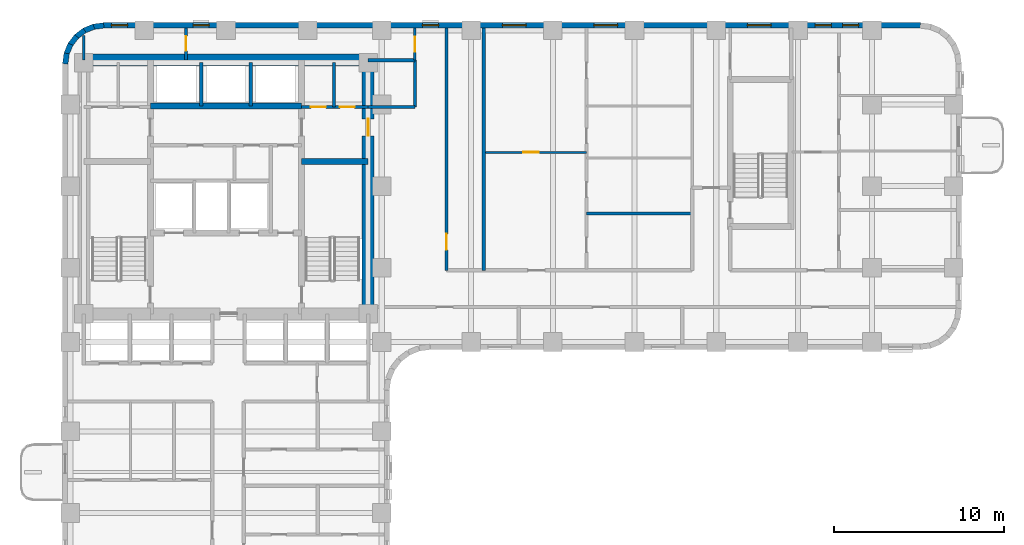
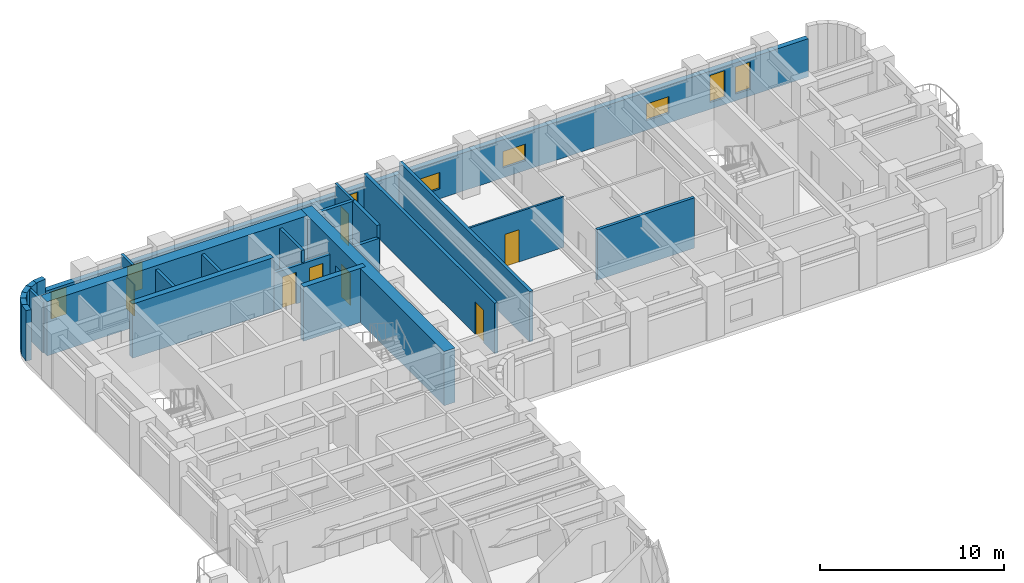
# One storey, part 6 of 12: 25 walls, 8 windows, 7 doors, 15 openings.
"""IFC4 building model written with IfcOpenShell, lengths in metres."""

from ifc_helpers import new_model, si_unit, direction, frame, frame_2d, origin, place, context, subcontext, project, spatial, rectangle, extrude, material, layer, layer_set, type_object, element, fill, save


model = new_model("IFC4")

# Units and contexts
model_context = context("Model", 3, precision=1e-05, world=origin(), true_north=direction((0.0, 1.0)))
body_context = subcontext(model_context, "Body", "Model", "MODEL_VIEW")
ifc_project = project(units=[si_unit("LENGTHUNIT", "METRE"), si_unit("AREAUNIT", "SQUARE_METRE"), si_unit("VOLUMEUNIT", "CUBIC_METRE"), si_unit("PLANEANGLEUNIT", "RADIAN"), si_unit("MASSUNIT", "GRAM", prefix="KILO")], contexts=[model_context])

# Site, building, storey
site_placement = place(None, origin())
site = spatial("IfcSite", under=ifc_project, at=site_placement, CompositionType="ELEMENT")
building_placement = place(site_placement, origin())
building = spatial("IfcBuilding", under=site, at=building_placement, Name="Orvandelia Arch Residences", CompositionType="ELEMENT")
storey_placement = place(building_placement, frame((0.0, 0.0, 57.39990234375)))
storey = spatial("IfcBuildingStorey", under=building, at=storey_placement, Name="L14", CompositionType="ELEMENT", Elevation=57.39990234375)

# Walls
ifc_material_1 = material(Name="Concrete C50/60", Category="concrete")
ifc_layer_1 = layer(ifc_material_1, 0.35009765625, Name="Concrete C50/60", Category="concrete")
ifc_layer_set_1 = layer_set([ifc_layer_1], Name="Concrete C50/60")
wall_type_1 = type_object("IfcWallType", Name="WL-CORE-350", PredefinedType="SHEAR", material=ifc_layer_set_1)
wall_1_placement = place(storey_placement, frame((18.840087890625, 39.85009765625, 0.0), z_axis=(0.0, 0.0, 1.0), x_axis=(1.0, 0.0, 0.0)))
element("IfcWall", 1, at=wall_1_placement, inside=storey, type_object=wall_type_1, Name="Core Shear Wall L14-HZ2", PredefinedType="SHEAR", context=body_context, shape_type="SweptSolid", body=[
    extrude(rectangle(XDim=3.909912109375, YDim=0.35009765625, at=frame_2d((1.955078125, 0.0))), origin(), (0.0, 0.0, 1.0), 3.60009765625),
])
wall_2_placement = place(storey_placement, frame((9.9599609375, 43.10009765625, 0.0), z_axis=(0.0, 0.0, 1.0), x_axis=(1.0, 0.0, 0.0)))
element("IfcWall", 2, at=wall_2_placement, inside=storey, type_object=wall_type_1, Name="Core Shear Wall L14-HZ4", PredefinedType="SHEAR", context=body_context, shape_type="SweptSolid", body=[
    extrude(rectangle(XDim=8.880126953125, YDim=0.35009765625, at=frame_2d((4.43994140625, 0.0))), origin(), (0.0, 0.0, 1.0), 3.60009765625),
])

# Wall, opening, door
ifc_material_2 = material(Name="Concrete C80/95", Category="concrete")
ifc_layer_2 = layer(ifc_material_2, 0.699951171875, Name="Concrete C80/95", Category="concrete")
ifc_layer_set_2 = layer_set([ifc_layer_2], Name="Concrete C80/95")
wall_type_2 = type_object("IfcWallType", Name="WL-CORE-700", PredefinedType="SHEAR", material=ifc_layer_set_2)
wall_3_placement = place(storey_placement, frame((22.75, 30.550048828125, 0.0), z_axis=(0.0, 0.0, 1.0), x_axis=(0.0, 1.0, 0.0)))
wall_3 = element("IfcWall", 3, at=wall_3_placement, inside=storey, type_object=wall_type_2, Name="Core Shear Wall L14-E", PredefinedType="SHEAR", context=body_context, shape_type="SweptSolid", body=[
    extrude(rectangle(XDim=15.599853515625, YDim=0.699951171875, at=frame_2d((7.7998046875, 0.0))), origin(), (0.0, 0.0, 1.0), 3.60009765625),
])
opening_1_placement = place(wall_3_placement, frame((10.800048828125, 0.0, 0.0)))
opening_1 = element("IfcOpeningElement", 4, at=opening_1_placement, cuts=wall_3, Name="Opening D6", PredefinedType="OPENING", context=body_context, shape_type="SweptSolid", body=[
    extrude(rectangle(XDim=1.0, YDim=2.14990234375, at=frame_2d((0.5, 1.074951171875))), frame((0.0, 0.35986328125, 0.0), z_axis=(0.0, -1.0, 0.0), x_axis=(1.0, 0.0, 0.0)), (0.0, 0.0, 1.0), 0.719970703125),
])
ifc_material_3 = material(Name="Smokeproof Painted Steel Fire Door", Category="steel")
door_type_1 = type_object("IfcDoorType", Name="DR-FD60-1000", OperationType="NOTDEFINED", PredefinedType="DOOR", material=ifc_material_3)
door_1_placement = place(opening_1_placement, origin())
door_1 = element("IfcDoor", 5, at=door_1_placement, inside=storey, type_object=door_type_1, Name="Core East Corridor Link Door L14", OperationType="SINGLE_SWING_LEFT", OverallHeight=2.14990234375, OverallWidth=1.0, PredefinedType="DOOR", context=body_context, shape_type="SweptSolid", body=[
    extrude(rectangle(XDim=1.0, YDim=2.14990234375, at=frame_2d((0.5, 1.074951171875))), frame((0.0, 0.02490234375, 0.0), z_axis=(0.0, -1.0, 0.0), x_axis=(1.0, 0.0, 0.0)), (0.0, 0.0, 1.0), 0.050048828125),
])
fill(opening_1, door_1)

# Walls
wall_4_placement = place(storey_placement, frame((6.050048828125, 45.800048828125, 0.0), z_axis=(0.0, 0.0, 1.0), x_axis=(1.0, 0.0, 0.0)))
element("IfcWall", 6, at=wall_4_placement, inside=storey, type_object=wall_type_2, Name="Core Shear Wall L14-N", PredefinedType="SHEAR", context=body_context, shape_type="SweptSolid", body=[
    extrude(rectangle(XDim=16.699951171875, YDim=0.699951171875, at=frame_2d((8.35009765625, 0.0))), origin(), (0.0, 0.0, 1.0), 3.60009765625),
])
ifc_material_4 = material(Name="Fire-Rated Corridor Partition")
ifc_layer_3 = layer(ifc_material_4, 0.199951171875, Name="Fire-Rated Corridor Partition")
ifc_layer_set_3 = layer_set([ifc_layer_3], Name="Fire-Rated Corridor Partition")
wall_type_3 = type_object("IfcWallType", Name="WL-CORR-200", PredefinedType="PARTITIONING", material=ifc_layer_set_3)
wall_5_placement = place(storey_placement, frame((22.75, 45.800048828125, 0.0), z_axis=(0.0, 0.0, 1.0), x_axis=(1.0, 0.0, 0.0)))
element("IfcWall", 7, at=wall_5_placement, inside=storey, type_object=wall_type_3, Name="Interior Partition Wall WL-L14-NCE-S", PredefinedType="PARTITIONING", context=body_context, shape_type="SweptSolid", body=[
    extrude(rectangle(XDim=2.75, YDim=0.199951171875, at=frame_2d((1.375, 0.0))), origin(), (0.0, 0.0, 1.0), 3.35009765625),
])

# Wall, opening, door
wall_6_placement = place(storey_placement, frame((27.35009765625, 33.449951171875, 0.0), z_axis=(0.0, 0.0, 1.0), x_axis=(0.0, 1.0, 0.0)))
wall_6 = element("IfcWall", 8, at=wall_6_placement, inside=storey, type_object=wall_type_3, Name="Interior Partition Wall WL-L14-ES-NCE", PredefinedType="PARTITIONING", context=body_context, shape_type="SweptSolid", body=[
    extrude(rectangle(XDim=14.22998046875, YDim=0.199951171875, at=frame_2d((7.114990234375, 0.0))), origin(), (0.0, 0.0, 1.0), 3.35009765625),
])
opening_2_placement = place(wall_6_placement, frame((1.199951171875, 0.0, 0.0)))
opening_2 = element("IfcOpeningElement", 9, at=opening_2_placement, cuts=wall_6, Name="Opening D2", PredefinedType="OPENING", context=body_context, shape_type="SweptSolid", body=[
    extrude(rectangle(XDim=0.949951171875, YDim=2.14990234375, at=frame_2d((0.47509765625, 1.074951171875))), frame((0.0, 0.10986328125, 0.0), z_axis=(0.0, -1.0, 0.0), x_axis=(1.0, 0.0, 0.0)), (0.0, 0.0, 1.0), 0.219970703125),
])
ifc_material_5 = material(Name="Solid-Core Timber Interior Fire Door", Category="wood")
door_type_2 = type_object("IfcDoorType", Name="DR-APT-950", OperationType="NOTDEFINED", PredefinedType="DOOR", material=ifc_material_5)
door_2_placement = place(opening_2_placement, origin())
door_2 = element("IfcDoor", 10, at=door_2_placement, inside=storey, type_object=door_type_2, Name="DR-L14-ESLDY", OperationType="SINGLE_SWING_RIGHT", OverallHeight=2.14990234375, OverallWidth=0.949951171875, PredefinedType="DOOR", context=body_context, shape_type="SweptSolid", body=[
    extrude(rectangle(XDim=0.949951171875, YDim=2.14990234375, at=frame_2d((0.47509765625, 1.074951171875))), frame((0.0, 0.02490234375, 0.0), z_axis=(0.0, -1.0, 0.0), x_axis=(1.0, 0.0, 0.0)), (0.0, 0.0, 1.0), 0.050048828125),
])
fill(opening_2, door_2)

# Walls
wall_7_placement = place(storey_placement, frame((22.75, 43.050048828125, 0.0), z_axis=(0.0, 0.0, 1.0), x_axis=(1.0, 0.0, 0.0)))
element("IfcWall", 11, at=wall_7_placement, inside=storey, type_object=wall_type_3, Name="Interior Partition Wall WL-L14-ES-LS", PredefinedType="PARTITIONING", context=body_context, shape_type="SweptSolid", body=[
    extrude(rectangle(XDim=2.75, YDim=0.199951171875, at=frame_2d((1.375, 0.0))), origin(), (0.0, 0.0, 1.0), 2.530029296875),
])
wall_8_placement = place(storey_placement, frame((25.5, 43.050048828125, 0.0), z_axis=(0.0, 0.0, 1.0), x_axis=(0.0, 1.0, 0.0)))
element("IfcWall", 12, at=wall_8_placement, inside=storey, type_object=wall_type_3, Name="Interior Partition Wall WL-L14-ES-LW2", PredefinedType="PARTITIONING", context=body_context, shape_type="SweptSolid", body=[
    extrude(rectangle(XDim=2.75, YDim=0.199951171875, at=frame_2d((1.375, 0.0))), origin(), (0.0, 0.0, 1.0), 3.35009765625),
])
ifc_material_6 = material(Name="Concrete C40/50", Category="concrete")
ifc_layer_4 = layer(ifc_material_6, 0.199951171875, Name="Concrete C40/50", Category="concrete")
ifc_layer_set_4 = layer_set([ifc_layer_4], Name="Concrete C40/50")
wall_type_4 = type_object("IfcWallType", Name="WL-DEM-200", PredefinedType="SOLIDWALL", material=ifc_layer_set_4)
wall_9_placement = place(storey_placement, frame((29.550048828125, 33.449951171875, 0.0), z_axis=(0.0, 0.0, 1.0), x_axis=(0.0, 1.0, 0.0)))
element("IfcWall", 13, at=wall_9_placement, inside=storey, type_object=wall_type_4, Name="Interior Partition Wall WL-L14-ES-LDE", PredefinedType="SOLIDWALL", context=body_context, shape_type="SweptSolid", body=[
    extrude(rectangle(XDim=14.22998046875, YDim=0.199951171875, at=frame_2d((7.114990234375, 0.0))), origin(), (0.0, 0.0, 1.0), 3.35009765625),
])
ifc_material_7 = material(Name="Precast concrete C40/50", Category="concrete")
ifc_layer_5 = layer(ifc_material_7, 0.320068359375, Name="Precast concrete C40/50", Category="concrete")
ifc_layer_set_5 = layer_set([ifc_layer_5], Name="Precast concrete C40/50")
wall_type_5 = type_object("IfcWallType", Name="WL-EXT-STONE-320", PredefinedType="STANDARD", material=ifc_layer_set_5)
for number, where, z_axis, x_axis, name in (
    (14, (4.95849609375, 45.5791015625, 0.0), (0.0, 0.0, 1.0), (0.130555323746, 0.9914410257, 0.0), "Coral-Limestone Precast Facade Wall L14-001"),
    (15, (5.029541015625, 46.159912109375, 0.0), (0.0, 0.0, 1.0), (0.382650053678, 0.92389335771, 0.0), "Coral-Limestone Precast Facade Wall L14-002"),
):
    element("IfcWall", number, at=place(storey_placement, frame(where, z_axis=z_axis, x_axis=x_axis)), inside=storey, type_object=wall_type_5, Name=name, PredefinedType="STANDARD", context=body_context, shape_type="SweptSolid", body=[
        extrude(rectangle(XDim=0.62646484375, YDim=0.320068359375, at=frame_2d((0.313232421875, 0.0))), origin(), (0.0, 0.0, 1.0), 3.35009765625),
    ])
wall_10_placement = place(storey_placement, frame((5.248291015625, 46.70263671875, 0.0), z_axis=(0.0, 0.0, 1.0), x_axis=(0.608938521285, 0.7932174212, 0.0)))
element("IfcWall", 16, at=wall_10_placement, inside=storey, type_object=wall_type_5, Name="Coral-Limestone Precast Facade Wall L14-003", PredefinedType="STANDARD", context=body_context, shape_type="SweptSolid", body=[
    extrude(rectangle(XDim=0.626708984375, YDim=0.320068359375, at=frame_2d((0.3134765625, 0.0))), origin(), (0.0, 0.0, 1.0), 3.35009765625),
])
wall_11_placement = place(storey_placement, frame((5.600341796875, 47.170166015625, 0.0), z_axis=(0.0, 0.0, 1.0), x_axis=(0.793405610854, 0.608693302629, 0.0)))
element("IfcWall", 17, at=wall_11_placement, inside=storey, type_object=wall_type_5, Name="Coral-Limestone Precast Facade Wall L14-004", PredefinedType="STANDARD", context=body_context, shape_type="SweptSolid", body=[
    extrude(rectangle(XDim=0.62646484375, YDim=0.320068359375, at=frame_2d((0.313232421875, 0.0))), origin(), (0.0, 0.0, 1.0), 3.35009765625),
])
wall_12_placement = place(storey_placement, frame((6.061279296875, 47.53076171875, 0.0), z_axis=(0.0, 0.0, 1.0), x_axis=(0.923836271867, 0.382787856107, 0.0)))
element("IfcWall", 18, at=wall_12_placement, inside=storey, type_object=wall_type_5, Name="Coral-Limestone Precast Facade Wall L14-005", PredefinedType="STANDARD", context=body_context, shape_type="SweptSolid", body=[
    extrude(rectangle(XDim=0.626220703125, YDim=0.320068359375, at=frame_2d((0.31298828125, 0.0))), origin(), (0.0, 0.0, 1.0), 3.35009765625),
])
wall_13_placement = place(storey_placement, frame((6.599609375, 47.759521484375, 0.0), z_axis=(0.0, 0.0, 1.0), x_axis=(0.991447664465, 0.130504898859, 0.0)))
element("IfcWall", 19, at=wall_13_placement, inside=storey, type_object=wall_type_5, Name="Coral-Limestone Precast Facade Wall L14-006", PredefinedType="STANDARD", context=body_context, shape_type="SweptSolid", body=[
    extrude(rectangle(XDim=0.626708984375, YDim=0.320068359375, at=frame_2d((0.3134765625, 0.0))), origin(), (0.0, 0.0, 1.0), 3.35009765625),
])

# Wall, openings, windows
wall_14_placement = place(storey_placement, frame((7.199951171875, 47.840087890625, 0.0), z_axis=(0.0, 0.0, 1.0), x_axis=(1.0, 0.0, 0.0)))
wall_14 = element("IfcWall", 20, at=wall_14_placement, inside=storey, type_object=wall_type_5, Name="Coral-Limestone Precast Facade Wall L14-007", PredefinedType="STANDARD", context=body_context, shape_type="SweptSolid", body=[
    extrude(rectangle(XDim=48.0, YDim=0.320068359375, at=frame_2d((24.0, 0.0))), origin(), (0.0, 0.0, 1.0), 2.530029296875),
])
opening_3_placement = place(wall_14_placement, frame((28.803466796875, 0.0, 0.64990234375)))
opening_3 = element("IfcOpeningElement", 21, at=opening_3_placement, cuts=wall_14, Name="Opening W10", PredefinedType="OPENING", context=body_context, shape_type="SweptSolid", body=[
    extrude(rectangle(XDim=1.39990234375, YDim=1.10009765625, at=frame_2d((0.699951171875, 0.550048828125))), frame((0.0, 0.169921875, 0.0), z_axis=(0.0, -1.0, 0.0), x_axis=(1.0, 0.0, 0.0)), (0.0, 0.0, 1.0), 0.340087890625),
])
opening_4_placement = place(wall_14_placement, frame((43.41357421875, 0.0, 0.449951171875)))
opening_4 = element("IfcOpeningElement", 22, at=opening_4_placement, cuts=wall_14, Name="Opening W4", PredefinedType="OPENING", context=body_context, shape_type="SweptSolid", body=[
    extrude(rectangle(XDim=0.949951171875, YDim=1.800048828125, at=frame_2d((0.47509765625, 0.89990234375))), frame((0.0, 0.169921875, 0.0), z_axis=(0.0, -1.0, 0.0), x_axis=(1.0, 0.0, 0.0)), (0.0, 0.0, 1.0), 0.340087890625),
])
opening_5_placement = place(wall_14_placement, frame((18.739990234375, 0.0, 0.449951171875)))
opening_5 = element("IfcOpeningElement", 23, at=opening_5_placement, cuts=wall_14, Name="Opening W4", PredefinedType="OPENING", context=body_context, shape_type="SweptSolid", body=[
    extrude(rectangle(XDim=0.949951171875, YDim=1.800048828125, at=frame_2d((0.47509765625, 0.89990234375))), frame((0.0, 0.169921875, 0.0), z_axis=(0.0, -1.0, 0.0), x_axis=(1.0, 0.0, 0.0)), (0.0, 0.0, 1.0), 0.340087890625),
])
opening_6_placement = place(wall_14_placement, frame((37.824951171875, 0.0, 0.64990234375)))
opening_6 = element("IfcOpeningElement", 24, at=opening_6_placement, cuts=wall_14, Name="Opening W10", PredefinedType="OPENING", context=body_context, shape_type="SweptSolid", body=[
    extrude(rectangle(XDim=1.39990234375, YDim=1.10009765625, at=frame_2d((0.699951171875, 0.550048828125))), frame((0.0, 0.169921875, 0.0), z_axis=(0.0, -1.0, 0.0), x_axis=(1.0, 0.0, 0.0)), (0.0, 0.0, 1.0), 0.340087890625),
])
opening_7_placement = place(wall_14_placement, frame((0.469970703125, 0.0, 0.449951171875)))
opening_7 = element("IfcOpeningElement", 25, at=opening_7_placement, cuts=wall_14, Name="Opening W4", PredefinedType="OPENING", context=body_context, shape_type="SweptSolid", body=[
    extrude(rectangle(XDim=0.949951171875, YDim=1.800048828125, at=frame_2d((0.47509765625, 0.89990234375))), frame((0.0, 0.169921875, 0.0), z_axis=(0.0, -1.0, 0.0), x_axis=(1.0, 0.0, 0.0)), (0.0, 0.0, 1.0), 0.340087890625),
])
opening_8_placement = place(wall_14_placement, frame((5.264892578125, 0.0, 0.449951171875)))
opening_8 = element("IfcOpeningElement", 26, at=opening_8_placement, cuts=wall_14, Name="Opening W4", PredefinedType="OPENING", context=body_context, shape_type="SweptSolid", body=[
    extrude(rectangle(XDim=0.949951171875, YDim=1.800048828125, at=frame_2d((0.47509765625, 0.89990234375))), frame((0.0, 0.169921875, 0.0), z_axis=(0.0, -1.0, 0.0), x_axis=(1.0, 0.0, 0.0)), (0.0, 0.0, 1.0), 0.340087890625),
])
opening_9_placement = place(wall_14_placement, frame((23.429931640625, 0.0, 0.64990234375)))
opening_9 = element("IfcOpeningElement", 27, at=opening_9_placement, cuts=wall_14, Name="Opening W10", PredefinedType="OPENING", context=body_context, shape_type="SweptSolid", body=[
    extrude(rectangle(XDim=1.39990234375, YDim=1.10009765625, at=frame_2d((0.699951171875, 0.550048828125))), frame((0.0, 0.169921875, 0.0), z_axis=(0.0, -1.0, 0.0), x_axis=(1.0, 0.0, 0.0)), (0.0, 0.0, 1.0), 0.340087890625),
])
opening_10_placement = place(wall_14_placement, frame((41.80859375, 0.0, 0.449951171875)))
opening_10 = element("IfcOpeningElement", 28, at=opening_10_placement, cuts=wall_14, Name="Opening W4", PredefinedType="OPENING", context=body_context, shape_type="SweptSolid", body=[
    extrude(rectangle(XDim=0.949951171875, YDim=1.800048828125, at=frame_2d((0.47509765625, 0.89990234375))), frame((0.0, 0.169921875, 0.0), z_axis=(0.0, -1.0, 0.0), x_axis=(1.0, 0.0, 0.0)), (0.0, 0.0, 1.0), 0.340087890625),
])
ifc_material_8 = material(Name="Tempered Low-E Insulated Glazing", Category="glass")
window_type_1 = type_object("IfcWindowType", Name="WIN-CLR-1400x1100", PartitioningType="SINGLE_PANEL", PredefinedType="WINDOW", material=ifc_material_8)
window_1_placement = place(opening_3_placement, origin())
window_1 = element("IfcWindow", 29, at=window_1_placement, inside=storey, type_object=window_type_1, Name="Recessed Punched Window L14-001", OverallHeight=1.10009765625, OverallWidth=1.39990234375, PartitioningType="SINGLE_PANEL", PredefinedType="WINDOW", context=body_context, shape_type="SweptSolid", body=[
    extrude(rectangle(XDim=1.39990234375, YDim=1.10009765625, at=frame_2d((0.699951171875, 0.550048828125))), frame((0.0, 0.030029296875, 0.0), z_axis=(0.0, -1.0, 0.0), x_axis=(1.0, 0.0, 0.0)), (0.0, 0.0, 1.0), 0.06005859375),
])
fill(opening_3, window_1)
window_2_placement = place(opening_6_placement, origin())
window_2 = element("IfcWindow", 30, at=window_2_placement, inside=storey, type_object=window_type_1, Name="Recessed Punched Window L14-004", OverallHeight=1.10009765625, OverallWidth=1.39990234375, PartitioningType="SINGLE_PANEL", PredefinedType="WINDOW", context=body_context, shape_type="SweptSolid", body=[
    extrude(rectangle(XDim=1.39990234375, YDim=1.10009765625, at=frame_2d((0.699951171875, 0.550048828125))), frame((0.0, 0.030029296875, 0.0), z_axis=(0.0, -1.0, 0.0), x_axis=(1.0, 0.0, 0.0)), (0.0, 0.0, 1.0), 0.06005859375),
])
fill(opening_6, window_2)
window_3_placement = place(opening_9_placement, origin())
window_3 = element("IfcWindow", 31, at=window_3_placement, inside=storey, type_object=window_type_1, Name="Recessed Punched Window L14-007", OverallHeight=1.10009765625, OverallWidth=1.39990234375, PartitioningType="SINGLE_PANEL", PredefinedType="WINDOW", context=body_context, shape_type="SweptSolid", body=[
    extrude(rectangle(XDim=1.39990234375, YDim=1.10009765625, at=frame_2d((0.699951171875, 0.550048828125))), frame((0.0, 0.030029296875, 0.0), z_axis=(0.0, -1.0, 0.0), x_axis=(1.0, 0.0, 0.0)), (0.0, 0.0, 1.0), 0.06005859375),
])
fill(opening_9, window_3)
window_type_2 = type_object("IfcWindowType", Name="WIN-RES-0950x1800", PartitioningType="SINGLE_PANEL", PredefinedType="WINDOW", material=ifc_material_8)
window_4_placement = place(opening_4_placement, origin())
window_4 = element("IfcWindow", 32, at=window_4_placement, inside=storey, type_object=window_type_2, Name="Recessed Punched Window L14-002", OverallHeight=1.800048828125, OverallWidth=0.949951171875, PartitioningType="SINGLE_PANEL", PredefinedType="WINDOW", context=body_context, shape_type="SweptSolid", body=[
    extrude(rectangle(XDim=0.949951171875, YDim=1.800048828125, at=frame_2d((0.47509765625, 0.89990234375))), frame((0.0, 0.030029296875, 0.0), z_axis=(0.0, -1.0, 0.0), x_axis=(1.0, 0.0, 0.0)), (0.0, 0.0, 1.0), 0.06005859375),
])
fill(opening_4, window_4)
window_5_placement = place(opening_5_placement, origin())
window_5 = element("IfcWindow", 33, at=window_5_placement, inside=storey, type_object=window_type_2, Name="Recessed Punched Window L14-003", OverallHeight=1.800048828125, OverallWidth=0.949951171875, PartitioningType="SINGLE_PANEL", PredefinedType="WINDOW", context=body_context, shape_type="SweptSolid", body=[
    extrude(rectangle(XDim=0.949951171875, YDim=1.800048828125, at=frame_2d((0.47509765625, 0.89990234375))), frame((0.0, 0.030029296875, 0.0), z_axis=(0.0, -1.0, 0.0), x_axis=(1.0, 0.0, 0.0)), (0.0, 0.0, 1.0), 0.06005859375),
])
fill(opening_5, window_5)
window_6_placement = place(opening_7_placement, origin())
window_6 = element("IfcWindow", 34, at=window_6_placement, inside=storey, type_object=window_type_2, Name="Recessed Punched Window L14-005", OverallHeight=1.800048828125, OverallWidth=0.949951171875, PartitioningType="SINGLE_PANEL", PredefinedType="WINDOW", context=body_context, shape_type="SweptSolid", body=[
    extrude(rectangle(XDim=0.949951171875, YDim=1.800048828125, at=frame_2d((0.47509765625, 0.89990234375))), frame((0.0, 0.030029296875, 0.0), z_axis=(0.0, -1.0, 0.0), x_axis=(1.0, 0.0, 0.0)), (0.0, 0.0, 1.0), 0.06005859375),
])
fill(opening_7, window_6)
window_7_placement = place(opening_8_placement, origin())
window_7 = element("IfcWindow", 35, at=window_7_placement, inside=storey, type_object=window_type_2, Name="Recessed Punched Window L14-006", OverallHeight=1.800048828125, OverallWidth=0.949951171875, PartitioningType="SINGLE_PANEL", PredefinedType="WINDOW", context=body_context, shape_type="SweptSolid", body=[
    extrude(rectangle(XDim=0.949951171875, YDim=1.800048828125, at=frame_2d((0.47509765625, 0.89990234375))), frame((0.0, 0.030029296875, 0.0), z_axis=(0.0, -1.0, 0.0), x_axis=(1.0, 0.0, 0.0)), (0.0, 0.0, 1.0), 0.06005859375),
])
fill(opening_8, window_7)
window_8_placement = place(opening_10_placement, origin())
window_8 = element("IfcWindow", 36, at=window_8_placement, inside=storey, type_object=window_type_2, Name="Recessed Punched Window L14-008", OverallHeight=1.800048828125, OverallWidth=0.949951171875, PartitioningType="SINGLE_PANEL", PredefinedType="WINDOW", context=body_context, shape_type="SweptSolid", body=[
    extrude(rectangle(XDim=0.949951171875, YDim=1.800048828125, at=frame_2d((0.47509765625, 0.89990234375))), frame((0.0, 0.030029296875, 0.0), z_axis=(0.0, -1.0, 0.0), x_axis=(1.0, 0.0, 0.0)), (0.0, 0.0, 1.0), 0.06005859375),
])
fill(opening_10, window_8)

# Wall, opening, door
ifc_material_9 = material(Name="Lightweight Gypsum Stud Partition")
ifc_layer_6 = layer(ifc_material_9, 0.1201171875, Name="Lightweight Gypsum Stud Partition")
ifc_layer_set_6 = layer_set([ifc_layer_6], Name="Lightweight Gypsum Stud Partition")
wall_type_6 = type_object("IfcWallType", Name="WL-PART-120", PredefinedType="PARTITIONING", material=ifc_layer_set_6)
wall_15_placement = place(storey_placement, frame((29.6298828125, 40.382080078125, 0.0), z_axis=(0.0, 0.0, 1.0), x_axis=(1.0, 0.0, 0.0)))
wall_15 = element("IfcWall", 37, at=wall_15_placement, inside=storey, type_object=wall_type_6, Name="Interior Partition Wall WL-L14-U07-DIN", PredefinedType="PARTITIONING", context=body_context, shape_type="SweptSolid", body=[
    extrude(rectangle(XDim=5.947021484375, YDim=0.1201171875, at=frame_2d((2.9736328125, 0.0))), origin(), (0.0, 0.0, 1.0), 3.35009765625),
])
opening_11_placement = place(wall_15_placement, frame((2.235107421875, 0.0, 0.0)))
opening_11 = element("IfcOpeningElement", 38, at=opening_11_placement, cuts=wall_15, Name="Opening D3", PredefinedType="OPENING", context=body_context, shape_type="SweptSolid", body=[
    extrude(rectangle(XDim=0.89990234375, YDim=2.14990234375, at=frame_2d((0.449951171875, 1.074951171875))), frame((0.0, 0.070068359375, 0.0), z_axis=(0.0, -1.0, 0.0), x_axis=(1.0, 0.0, 0.0)), (0.0, 0.0, 1.0), 0.14013671875),
])
ifc_material_10 = material(Name="Engineered Timber Flush Door", Category="wood")
door_type_3 = type_object("IfcDoorType", Name="DR-INT-900", OperationType="NOTDEFINED", PredefinedType="DOOR", material=ifc_material_10)
door_3_placement = place(opening_11_placement, origin())
door_3 = element("IfcDoor", 39, at=door_3_placement, inside=storey, type_object=door_type_3, Name="DR-L14-U07-DIN", OperationType="SINGLE_SWING_RIGHT", OverallHeight=2.14990234375, OverallWidth=0.89990234375, PredefinedType="DOOR", context=body_context, shape_type="SweptSolid", body=[
    extrude(rectangle(XDim=0.89990234375, YDim=2.14990234375, at=frame_2d((0.449951171875, 1.074951171875))), frame((0.0, 0.02490234375, 0.0), z_axis=(0.0, -1.0, 0.0), x_axis=(1.0, 0.0, 0.0)), (0.0, 0.0, 1.0), 0.050048828125),
])
fill(opening_11, door_3)

ifc_material_11 = material(Name="Acoustic Gypsum Stud Partition")
ifc_layer_7 = layer(ifc_material_11, 0.14990234375, Name="Acoustic Gypsum Stud Partition")
ifc_layer_set_7 = layer_set([ifc_layer_7], Name="Acoustic Gypsum Stud Partition")
wall_type_7 = type_object("IfcWallType", Name="WL-PART-150", PredefinedType="PARTITIONING", material=ifc_layer_set_7)
wall_16_placement = place(storey_placement, frame((25.5, 45.800048828125, 0.0), z_axis=(0.0, 0.0, 1.0), x_axis=(0.0, 1.0, 0.0)))
wall_16 = element("IfcWall", 40, at=wall_16_placement, inside=storey, type_object=wall_type_7, Name="Interior Partition Wall WL-L14-NCE-W", PredefinedType="PARTITIONING", context=body_context, shape_type="SweptSolid", body=[
    extrude(rectangle(XDim=1.8798828125, YDim=0.14990234375, at=frame_2d((0.93994140625, 0.0))), origin(), (0.0, 0.0, 1.0), 3.35009765625),
])
opening_12_placement = place(wall_16_placement, frame((0.5, 0.0, 0.0)))
opening_12 = element("IfcOpeningElement", 41, at=opening_12_placement, cuts=wall_16, Name="Opening D5", PredefinedType="OPENING", context=body_context, shape_type="SweptSolid", body=[
    extrude(rectangle(XDim=0.8798828125, YDim=2.10009765625, at=frame_2d((0.43994140625, 1.050048828125))), frame((0.0, 0.0849609375, 0.0), z_axis=(0.0, -1.0, 0.0), x_axis=(1.0, 0.0, 0.0)), (0.0, 0.0, 1.0), 0.169921875),
])
ifc_material_12 = material(Name="Painted Galvanised Steel Service Door", Category="steel")
door_type_4 = type_object("IfcDoorType", Name="DR-SRV-880", OperationType="NOTDEFINED", PredefinedType="DOOR", material=ifc_material_12)
door_4_placement = place(opening_12_placement, origin())
door_4 = element("IfcDoor", 42, at=door_4_placement, inside=storey, type_object=door_type_4, Name="DR-L14-NCS2", OperationType="SINGLE_SWING_LEFT", OverallHeight=2.10009765625, OverallWidth=0.8798828125, PredefinedType="DOOR", context=body_context, shape_type="SweptSolid", body=[
    extrude(rectangle(XDim=0.8798828125, YDim=2.10009765625, at=frame_2d((0.43994140625, 1.050048828125))), frame((0.0, 0.02490234375, 0.0), z_axis=(0.0, -1.0, 0.0), x_axis=(1.0, 0.0, 0.0)), (0.0, 0.0, 1.0), 0.050048828125),
])
fill(opening_12, door_4)

# Wall
wall_17_placement = place(storey_placement, frame((6.050048828125, 45.800048828125, 0.0), z_axis=(0.0, 0.0, 1.0), x_axis=(0.0, 1.0, 0.0)))
element("IfcWall", 43, at=wall_17_placement, inside=storey, type_object=wall_type_7, Name="Interior Partition Wall WL-L14-NC-W6", PredefinedType="PARTITIONING", context=body_context, shape_type="SweptSolid", body=[
    extrude(rectangle(XDim=1.4599609375, YDim=0.14990234375, at=frame_2d((0.72998046875, 0.0))), origin(), (0.0, 0.0, 1.0), 3.35009765625),
])

# Wall, opening, door
wall_18_placement = place(storey_placement, frame((12.050048828125, 45.800048828125, 0.0), z_axis=(0.0, 0.0, 1.0), x_axis=(0.0, 1.0, 0.0)))
wall_18 = element("IfcWall", 44, at=wall_18_placement, inside=storey, type_object=wall_type_7, Name="Interior Partition Wall WL-L14-NC-M", PredefinedType="PARTITIONING", context=body_context, shape_type="SweptSolid", body=[
    extrude(rectangle(XDim=1.8798828125, YDim=0.14990234375, at=frame_2d((0.93994140625, 0.0))), origin(), (0.0, 0.0, 1.0), 3.35009765625),
])
opening_13_placement = place(wall_18_placement, frame((0.550048828125, 0.0, 0.0)))
opening_13 = element("IfcOpeningElement", 45, at=opening_13_placement, cuts=wall_18, Name="Opening D4", PredefinedType="OPENING", context=body_context, shape_type="SweptSolid", body=[
    extrude(rectangle(XDim=0.860107421875, YDim=2.10009765625, at=frame_2d((0.43017578125, 1.050048828125))), frame((0.0, 0.0849609375, 0.0), z_axis=(0.0, -1.0, 0.0), x_axis=(1.0, 0.0, 0.0)), (0.0, 0.0, 1.0), 0.169921875),
])
ifc_material_13 = material(Name="Moisture-Sealed Timber Bathroom Door", Category="wood")
door_type_5 = type_object("IfcDoorType", Name="DR-WET-900", OperationType="NOTDEFINED", PredefinedType="DOOR", material=ifc_material_13)
door_5_placement = place(opening_13_placement, origin())
door_5 = element("IfcDoor", 46, at=door_5_placement, inside=storey, type_object=door_type_5, Name="DR-L14-NCS1", OperationType="SINGLE_SWING_LEFT", OverallHeight=2.10009765625, OverallWidth=0.860107421875, PredefinedType="DOOR", context=body_context, shape_type="SweptSolid", body=[
    extrude(rectangle(XDim=0.860107421875, YDim=2.10009765625, at=frame_2d((0.43017578125, 1.050048828125))), frame((0.0, 0.02490234375, 0.0), z_axis=(0.0, -1.0, 0.0), x_axis=(1.0, 0.0, 0.0)), (0.0, 0.0, 1.0), 0.050048828125),
])
fill(opening_13, door_5)

# Wall, openings, doors
ifc_material_14 = material(Name="Fire-Rated Shaft Enclosure Wall")
ifc_layer_8 = layer(ifc_material_14, 0.199951171875, Name="Fire-Rated Shaft Enclosure Wall")
ifc_layer_set_8 = layer_set([ifc_layer_8], Name="Fire-Rated Shaft Enclosure Wall")
wall_type_8 = type_object("IfcWallType", Name="WL-SHAFT-200", PredefinedType="POLYGONAL", material=ifc_layer_set_8)
wall_19_placement = place(storey_placement, frame((18.840087890625, 43.050048828125, 0.0), z_axis=(0.0, 0.0, 1.0), x_axis=(1.0, 0.0, 0.0)))
wall_19 = element("IfcWall", 47, at=wall_19_placement, inside=storey, type_object=wall_type_8, Name="Interior Partition Wall WL-L14-HLE-N", PredefinedType="POLYGONAL", context=body_context, shape_type="SweptSolid", body=[
    extrude(rectangle(XDim=3.909912109375, YDim=0.199951171875, at=frame_2d((1.955078125, 0.0))), origin(), (0.0, 0.0, 1.0), 2.530029296875),
])
opening_14_placement = place(wall_19_placement, frame((0.550048828125, 0.0, 0.0)))
opening_14 = element("IfcOpeningElement", 48, at=opening_14_placement, cuts=wall_19, Name="Opening D5", PredefinedType="OPENING", context=body_context, shape_type="SweptSolid", body=[
    extrude(rectangle(XDim=0.8798828125, YDim=2.10009765625, at=frame_2d((0.43994140625, 1.050048828125))), frame((0.0, 0.10986328125, 0.0), z_axis=(0.0, -1.0, 0.0), x_axis=(1.0, 0.0, 0.0)), (0.0, 0.0, 1.0), 0.219970703125),
])
opening_15_placement = place(wall_19_placement, frame((2.25, 0.0, 0.0)))
opening_15 = element("IfcOpeningElement", 49, at=opening_15_placement, cuts=wall_19, Name="Opening D4", PredefinedType="OPENING", context=body_context, shape_type="SweptSolid", body=[
    extrude(rectangle(XDim=0.860107421875, YDim=2.10009765625, at=frame_2d((0.43017578125, 1.050048828125))), frame((0.0, 0.10986328125, 0.0), z_axis=(0.0, -1.0, 0.0), x_axis=(1.0, 0.0, 0.0)), (0.0, 0.0, 1.0), 0.219970703125),
])
door_6_placement = place(opening_14_placement, origin())
door_6 = element("IfcDoor", 50, at=door_6_placement, inside=storey, type_object=door_type_4, Name="DR-L14-CSB1", OperationType="SINGLE_SWING_LEFT", OverallHeight=2.10009765625, OverallWidth=0.8798828125, PredefinedType="DOOR", context=body_context, shape_type="SweptSolid", body=[
    extrude(rectangle(XDim=0.8798828125, YDim=2.10009765625, at=frame_2d((0.43994140625, 1.050048828125))), frame((0.0, 0.02490234375, 0.0), z_axis=(0.0, -1.0, 0.0), x_axis=(1.0, 0.0, 0.0)), (0.0, 0.0, 1.0), 0.050048828125),
])
fill(opening_14, door_6)
door_7_placement = place(opening_15_placement, origin())
door_7 = element("IfcDoor", 51, at=door_7_placement, inside=storey, type_object=door_type_5, Name="DR-L14-CSB2", OperationType="SINGLE_SWING_LEFT", OverallHeight=2.10009765625, OverallWidth=0.860107421875, PredefinedType="DOOR", context=body_context, shape_type="SweptSolid", body=[
    extrude(rectangle(XDim=0.860107421875, YDim=2.10009765625, at=frame_2d((0.43017578125, 1.050048828125))), frame((0.0, 0.02490234375, 0.0), z_axis=(0.0, -1.0, 0.0), x_axis=(1.0, 0.0, 0.0)), (0.0, 0.0, 1.0), 0.050048828125),
])
fill(opening_15, door_7)

# Walls
for number, where, z_axis, x_axis, name in (
    (52, (12.949951171875, 43.10009765625, 0.0), (0.0, 0.0, 1.0), (0.0, 1.0, 0.0), "Interior Partition Wall WL-L14-PHD1"),
    (53, (15.85009765625, 43.10009765625, 0.0), (0.0, 0.0, 1.0), (0.0, 1.0, 0.0), "Interior Partition Wall WL-L14-PHD2"),
):
    element("IfcWall", number, at=place(storey_placement, frame(where, z_axis=z_axis, x_axis=x_axis)), inside=storey, type_object=wall_type_8, Name=name, PredefinedType="POLYGONAL", context=body_context, shape_type="SweptSolid", body=[
        extrude(rectangle(XDim=2.5498046875, YDim=0.199951171875, at=frame_2d((1.27490234375, 0.0))), origin(), (0.0, 0.0, 1.0), 3.35009765625),
    ])
ifc_material_15 = material(Name="Moisture-Resistant Plumbing Wall")
ifc_layer_9 = layer(ifc_material_15, 0.179931640625, Name="Moisture-Resistant Plumbing Wall")
ifc_layer_set_9 = layer_set([ifc_layer_9], Name="Moisture-Resistant Plumbing Wall")
wall_type_9 = type_object("IfcWallType", Name="WL-WET-180", PredefinedType="PLUMBINGWALL", material=ifc_layer_set_9)
wall_20_placement = place(storey_placement, frame((20.75, 43.050048828125, 0.0), z_axis=(0.0, 0.0, 1.0), x_axis=(0.0, 1.0, 0.0)))
element("IfcWall", 54, at=wall_20_placement, inside=storey, type_object=wall_type_9, Name="Interior Partition Wall WL-L14-CSB-1", PredefinedType="PLUMBINGWALL", context=body_context, shape_type="SweptSolid", body=[
    extrude(rectangle(XDim=2.599853515625, YDim=0.179931640625, at=frame_2d((1.2998046875, 0.0))), origin(), (0.0, 0.0, 1.0), 3.35009765625),
])
wall_21_placement = place(storey_placement, frame((35.576904296875, 36.785888671875, 0.0), z_axis=(0.0, 0.0, 1.0), x_axis=(1.0, 0.0, 0.0)))
element("IfcWall", 55, at=wall_21_placement, inside=storey, type_object=wall_type_9, Name="Interior Partition Wall WL-L14-U07-H1", PredefinedType="PLUMBINGWALL", context=body_context, shape_type="SweptSolid", body=[
    extrude(rectangle(XDim=6.123046875, YDim=0.179931640625, at=frame_2d((3.0615234375, 0.0))), origin(), (0.0, 0.0, 1.0), 3.35009765625),
])

save(model, "model.ifc")
